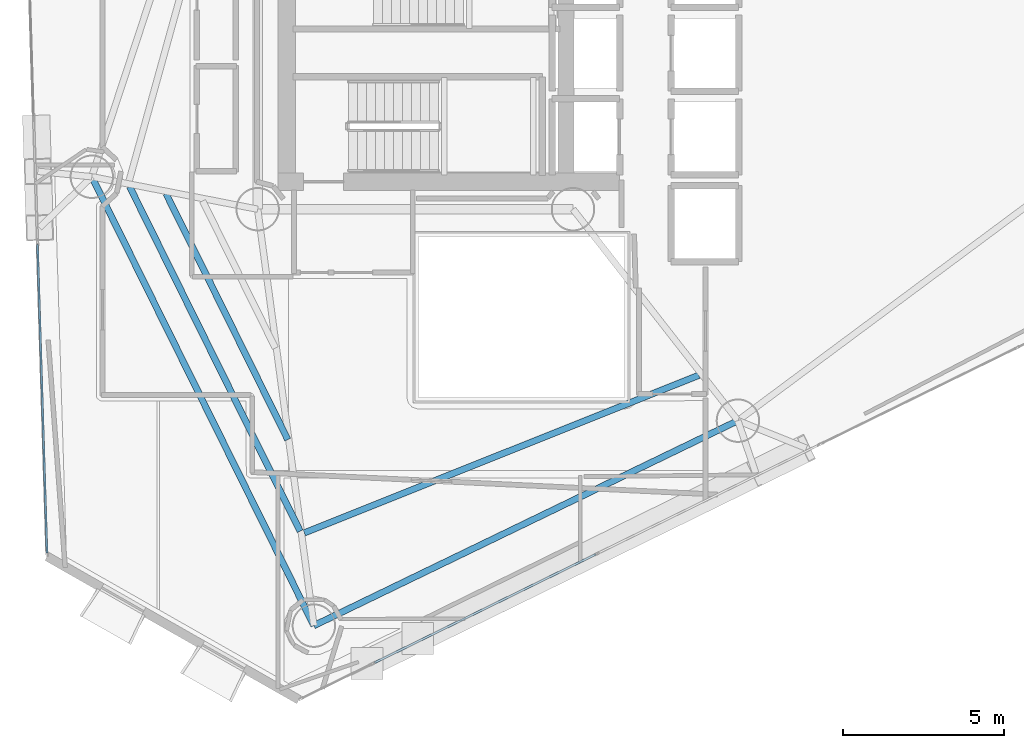
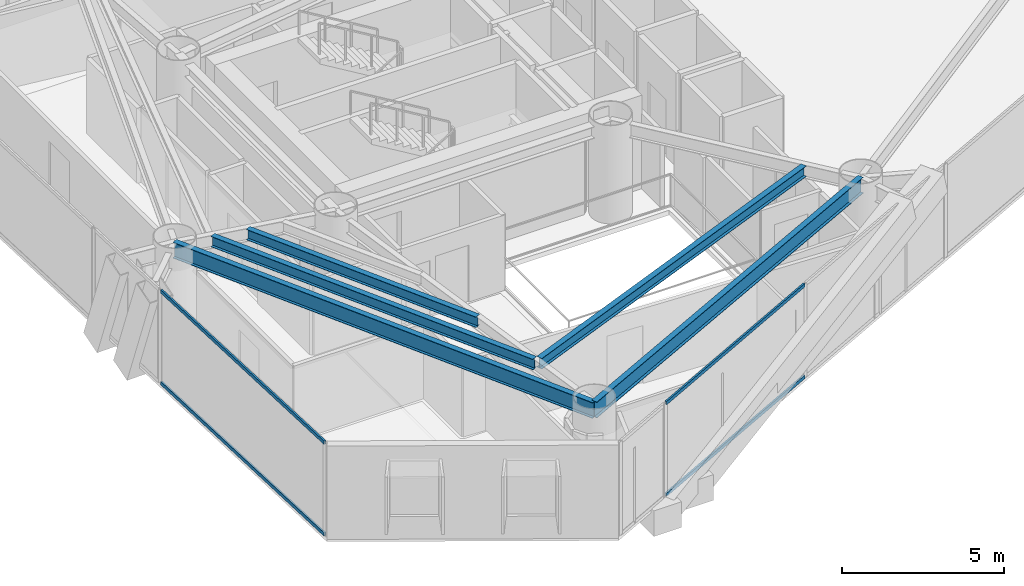
# One storey, part 3 of 22: 5 beams, 4 members, 2 elements without a shape of their own.
"""IFC4 building model written with IfcOpenShell, lengths in metres."""

import ifcopenshell
import ifcopenshell.guid

model = None  # the IFC model being written
_history = None  # IfcOwnerHistory: only IFC2X3 demands one
_inside = {}  # id of a spatial element -> (the spatial element, [elements in it])
_under = {}  # id of a project, library or spatial element -> (it, [spatial elements below it])
_declared = {}  # id of a project -> (the project, [libraries it declares])
_typed = {}  # id of a type object -> (the type object, [elements of that type])
_made_of = {}  # id of a material, layer set ... -> (it, [elements and type objects made of it])


def new_model(schema):
    """Start an empty IFC model of exactly this schema.

    Asked for "IFC4X3", IfcOpenShell would pick the latest addendum, in which some entities
    have other attributes; the version numbers below select the first issue.
    IFC2X3 requires an IfcOwnerHistory on every rooted entity: one is made here for all.
    """
    global model, _history
    if schema == "IFC4X3":
        model = ifcopenshell.file(schema_version=(4, 3, 0, 0))
    else:
        model = ifcopenshell.file(schema=schema)
    _inside.clear()
    _under.clear()
    _declared.clear()
    _typed.clear()
    _made_of.clear()
    _history = None
    if model.schema == "IFC2X3":
        org = make("IfcOrganization", Name="unknown")
        user = make(
            "IfcPersonAndOrganization",
            ThePerson=make("IfcPerson", FamilyName="unknown"),
            TheOrganization=org,
        )
        app = make(
            "IfcApplication",
            ApplicationDeveloper=org,
            Version="unknown",
            ApplicationFullName="unknown",
            ApplicationIdentifier="unknown",
        )
        _history = make(
            "IfcOwnerHistory",
            OwningUser=user,
            OwningApplication=app,
            ChangeAction="ADDED",
            CreationDate=0,
        )
    return model


def make(cls, **values):
    """One entity of the class cls with the attributes given. An attribute that is None is left unset."""
    return model.create_entity(
        cls, **{name: value for name, value in values.items() if value is not None}
    )


def rooted(cls, **values):
    """An entity with a GlobalId (a new one), such as an element, a storey or a relation."""
    return make(cls, GlobalId=ifcopenshell.guid.new(), OwnerHistory=_history, **values)


def si_unit(unit_type, name, prefix=None):
    """IfcSIUnit, for example si_unit("LENGTHUNIT", "METRE", prefix="MILLI")."""
    return make("IfcSIUnit", UnitType=unit_type, Prefix=prefix, Name=name)


def assignment(units):
    """IfcUnitAssignment: the units of a project."""
    return None if units is None else make("IfcUnitAssignment", Units=units)


def point(xyz):
    """IfcCartesianPoint."""
    return None if xyz is None else make("IfcCartesianPoint", Coordinates=xyz)


def direction(xyz):
    """IfcDirection."""
    return None if xyz is None else make("IfcDirection", DirectionRatios=xyz)


def frame(location, z_axis=None, x_axis=None):
    """IfcAxis2Placement3D, a coordinate frame: its origin and axes. An axis left out is left unset."""
    return make(
        "IfcAxis2Placement3D",
        Location=point(location),
        Axis=direction(z_axis),
        RefDirection=direction(x_axis),
    )


def frame_2d(location, x_axis=None):
    """IfcAxis2Placement2D, a coordinate frame in the plane: its origin and x axis."""
    return make(
        "IfcAxis2Placement2D", Location=point(location), RefDirection=direction(x_axis)
    )


def origin():
    """The frame at (0, 0, 0) with its axes left unset."""
    return frame((0.0, 0.0, 0.0))


def origin_2d():
    """The frame at (0, 0) in the plane with its x axis left unset."""
    return frame_2d((0.0, 0.0))


def place(relative_to, where):
    """IfcLocalPlacement: puts the frame where relative to a parent placement (None: the world)."""
    return make(
        "IfcLocalPlacement", PlacementRelTo=relative_to, RelativePlacement=where
    )


def context(
    kind, dimensions, precision=None, world=None, true_north=None, identifier=None
):
    """IfcGeometricRepresentationContext, for example the 3D "Model" context."""
    return make(
        "IfcGeometricRepresentationContext",
        ContextIdentifier=identifier,
        ContextType=kind,
        CoordinateSpaceDimension=dimensions,
        Precision=precision,
        WorldCoordinateSystem=world,
        TrueNorth=true_north,
    )


def subcontext(parent, identifier, kind, view, scale=None):
    """IfcGeometricRepresentationSubContext, for example "Body" below "Model"."""
    return make(
        "IfcGeometricRepresentationSubContext",
        ContextIdentifier=identifier,
        ContextType=kind,
        ParentContext=parent,
        TargetScale=scale,
        TargetView=view,
    )


def project(units=None, contexts=None):
    """IfcProject with its units and contexts."""
    return rooted(
        "IfcProject",
        Name="project",
        RepresentationContexts=contexts,
        UnitsInContext=assignment(units),
    )


def spatial(cls, under=None, at=None, **own):
    """A site, building, storey or space (cls), placed at a placement, below another one or the project."""
    s = rooted(cls, ObjectPlacement=at, **own)
    if under is not None:
        _under.setdefault(under.id(), (under, []))[1].append(s)
    return s


def profile(cls, at=None, kind="AREA", **sizes):
    """A parametric profile (cls). Its sizes go by their IFC names, for example OverallWidth=200.0."""
    return make(cls, ProfileType=kind, Position=at, **sizes)


def hollow_rectangle(**sizes):
    """IfcRectangleHollowProfileDef."""
    return profile("IfcRectangleHollowProfileDef", **sizes)


def i_section(**sizes):
    """IfcIShapeProfileDef."""
    return profile("IfcIShapeProfileDef", **sizes)


def extrude(swept, where, along, depth):
    """IfcExtrudedAreaSolid: the profile swept, set in the frame where, extruded along a direction by depth."""
    return make(
        "IfcExtrudedAreaSolid",
        SweptArea=swept,
        Position=where,
        ExtrudedDirection=direction(along),
        Depth=depth,
    )


def shape(context_of_items, identifier, shape_type, items):
    """IfcShapeRepresentation: the items that make up one representation, for example the "Body"."""
    return make(
        "IfcShapeRepresentation",
        ContextOfItems=context_of_items,
        RepresentationIdentifier=identifier,
        RepresentationType=shape_type,
        Items=items,
    )


def material(Name=None, Category=None):
    """IfcMaterial."""
    return make("IfcMaterial", Name=Name, Category=Category)


def layer(
    of_material, thickness, ventilated=None, Name=None, Category=None, Priority=None
):
    """IfcMaterialLayer: one layer of a wall or slab, of a material (None: an air gap)."""
    return make(
        "IfcMaterialLayer",
        Material=of_material,
        LayerThickness=thickness,
        IsVentilated=ventilated,
        Name=Name,
        Category=Category,
        Priority=Priority,
    )


def layer_set(layers, Name=None):
    """IfcMaterialLayerSet."""
    return make("IfcMaterialLayerSet", MaterialLayers=layers, LayerSetName=Name)


def material_profile(
    of_material, cross_section, Name=None, Category=None, Priority=None
):
    """IfcMaterialProfile: a cross section and its material."""
    return make(
        "IfcMaterialProfile",
        Name=Name,
        Material=of_material,
        Profile=cross_section,
        Priority=Priority,
        Category=Category,
    )


def profile_set(profiles, Name=None, composite=None):
    """IfcMaterialProfileSet."""
    return make(
        "IfcMaterialProfileSet",
        Name=Name,
        MaterialProfiles=profiles,
        CompositeProfile=composite,
    )


def made_of(thing, what):
    """Note that an element or type object is made of a material, layer set ...; save() writes the relation."""
    if what is not None:
        _made_of.setdefault(what.id(), (what, []))[1].append(thing)
    return thing


def type_object(cls, material=None, **own):
    """A type object (cls), such as IfcWallType, which elements share."""
    return made_of(rooted(cls, **own), material)


def element(
    cls,
    number,
    at=None,
    inside=None,
    cuts=None,
    type_object=None,
    material=None,
    context=None,
    identifier="Body",
    shape_type=None,
    held_by="IfcProductDefinitionShape",
    body=None,
    shapes=None,
    **own,
):
    """One element of the class cls, such as IfcWall. Its Tag is "e" and its number.

    at: its placement. inside: the storey or other place that contains it. cuts: it is an
    opening in that element (IfcRelVoidsElement). A single representation is given by context,
    identifier, shape_type and body (its items); several are given by shapes. held_by: the class
    of the entity that holds the representations. save() writes the other relations.
    """
    e = rooted(cls, Tag="e%d" % number, ObjectPlacement=at, **own)
    if body is not None:
        shapes = [shape(context, identifier, shape_type, body)]
    if shapes is not None:
        e.Representation = make(held_by, Representations=shapes)
    if inside is not None:
        _inside.setdefault(inside.id(), (inside, []))[1].append(e)
    if cuts is not None:
        rooted(
            "IfcRelVoidsElement", RelatingBuildingElement=cuts, RelatedOpeningElement=e
        )
    if type_object is not None:
        _typed.setdefault(type_object.id(), (type_object, []))[1].append(e)
    return made_of(e, material)


def aggregate(whole, parts):
    """IfcRelAggregates: a whole, such as a stair, and the parts it consists of."""
    return rooted("IfcRelAggregates", RelatingObject=whole, RelatedObjects=parts)


def save(model, path):
    """Write the relations noted so far, then the file.

    IfcRelAggregates (storeys below a building ...), IfcRelContainedInSpatialStructure (elements
    in a storey), IfcRelDefinesByType, IfcRelAssociatesMaterial and IfcRelDeclares: one each for
    every whole, place, type object, material and project.
    """
    for whole, parts in _under.values():
        aggregate(whole, parts)
    for where, things in _inside.values():
        rooted(
            "IfcRelContainedInSpatialStructure",
            RelatedElements=things,
            RelatingStructure=where,
        )
    for kind, things in _typed.values():
        rooted("IfcRelDefinesByType", RelatedObjects=things, RelatingType=kind)
    for what, things in _made_of.values():
        rooted("IfcRelAssociatesMaterial", RelatedObjects=things, RelatingMaterial=what)
    for by, libraries in _declared.values():
        rooted("IfcRelDeclares", RelatingContext=by, RelatedDefinitions=libraries)
    model.write(path)


model = new_model("IFC4")

# Units and contexts
model_context = context("Model", 3, precision=1e-05, world=origin(), true_north=direction((0.0, 1.0)))
body_context = subcontext(model_context, "Body", "Model", "MODEL_VIEW")
ifc_project = project(units=[si_unit("LENGTHUNIT", "METRE"), si_unit("AREAUNIT", "SQUARE_METRE"), si_unit("VOLUMEUNIT", "CUBIC_METRE"), si_unit("PLANEANGLEUNIT", "RADIAN"), si_unit("MASSUNIT", "GRAM", prefix="KILO")], contexts=[model_context])

# Site, building, storey
site_placement = place(None, origin())
site = spatial("IfcSite", under=ifc_project, at=site_placement, CompositionType="ELEMENT")
building_placement = place(site_placement, origin())
building = spatial("IfcBuilding", under=site, at=building_placement, Name="Qianvela Tower", CompositionType="ELEMENT")
storey_placement = place(building_placement, frame((0.0, 0.0, 155.0)))
storey = spatial("IfcBuildingStorey", under=building, at=storey_placement, Name="L39", CompositionType="ELEMENT", Elevation=155.0)

# Beams
ifc_material_1 = material(Name="Steel Q355B", Category="steel")
ifc_material_profile_1 = material_profile(ifc_material_1, i_section(OverallWidth=0.199951171875, OverallDepth=0.39990234375, WebThickness=0.008056640625, FlangeThickness=0.012939453125, at=origin_2d()), Name="HN400x200x8x13")
ifc_profile_set_1 = profile_set([ifc_material_profile_1], Name="Steel Q355B")
beam_type_1 = type_object("IfcBeamType", Name="BM-HN400-JOIST", PredefinedType="JOIST", material=ifc_profile_set_1)
beam_1_placement = place(storey_placement, frame((25.75634765625, 24.3291015625, 3.318115234375), z_axis=(0.443417285282, -0.896315296708, 0.0), x_axis=(0.896315296708, 0.443417285282, 0.0)))
element("IfcBeam", 1, at=beam_1_placement, inside=storey, type_object=beam_type_1, Name="L39 Secondary Composite Floor Joist 4.2", PredefinedType="JOIST", context=body_context, shape_type="SweptSolid", body=[
    extrude(i_section(OverallWidth=0.199951171875, OverallDepth=0.39990234375, WebThickness=0.008056640625, FlangeThickness=0.012939453125, at=origin_2d()), origin(), (0.0, 0.0, 1.0), 8.523681640625),
])
beam_2_placement = place(storey_placement, frame((24.622314453125, 24.551025390625, 3.318115234375), z_axis=(0.443417031377, -0.896315422318, 0.0), x_axis=(0.896315422318, 0.443417031377, 0.0)))
element("IfcBeam", 2, at=beam_2_placement, inside=storey, type_object=beam_type_1, Name="L39 Secondary Composite Floor Joist 4.3", PredefinedType="JOIST", context=body_context, shape_type="SweptSolid", body=[
    extrude(i_section(OverallWidth=0.199951171875, OverallDepth=0.39990234375, WebThickness=0.008056640625, FlangeThickness=0.012939453125, at=origin_2d()), origin(), (0.0, 0.0, 1.0), 11.94775390625),
])
beam_3_placement = place(storey_placement, frame((30.0517578125, 13.79150390625, 3.318115234375), z_axis=(0.928611849806, 0.371052600584, 0.0), x_axis=(-0.371052600584, 0.928611849806, 0.0)))
element("IfcBeam", 3, at=beam_3_placement, inside=storey, type_object=beam_type_1, Name="L39 Secondary Composite Floor Joist 5.3", PredefinedType="JOIST", context=body_context, shape_type="SweptSolid", body=[
    extrude(i_section(OverallWidth=0.199951171875, OverallDepth=0.39990234375, WebThickness=0.008056640625, FlangeThickness=0.012939453125, at=origin_2d()), origin(), (0.0, 0.0, 1.0), 13.19873046875),
])
ifc_material_2 = material(Name="Steel Q355B", Category="steel")
ifc_material_profile_2 = material_profile(ifc_material_2, i_section(OverallWidth=0.199951171875, OverallDepth=0.60009765625, WebThickness=0.010986328125, FlangeThickness=0.01708984375, at=origin_2d()), Name="HN600x200x11x17")
ifc_profile_set_2 = profile_set([ifc_material_profile_2], Name="Steel Q355B")
beam_type_2 = type_object("IfcBeamType", Name="BM-HN600-GIRD", PredefinedType="BEAM", material=ifc_profile_set_2)
beam_4_placement = place(storey_placement, frame((23.446044921875, 24.85888671875, 3.218017578125), z_axis=(0.443400805375, -0.896323449315, 0.0), x_axis=(0.896323449315, 0.443400805375, 0.0)))
element("IfcBeam", 4, at=beam_4_placement, inside=storey, type_object=beam_type_2, Name="L39 Perimeter Ring Spandrel Girder 4", PredefinedType="BEAM", context=body_context, shape_type="SweptSolid", body=[
    extrude(i_section(OverallWidth=0.199951171875, OverallDepth=0.60009765625, WebThickness=0.010986328125, FlangeThickness=0.01708984375, at=origin_2d()), origin(), (0.0, 0.0, 1.0), 15.5634765625),
])
beam_5_placement = place(storey_placement, frame((30.346923828125, 10.908935546875, 3.218017578125), z_axis=(0.900328583727, 0.435210801019, 0.0), x_axis=(-0.435210801019, 0.900328583727, 0.0)))
element("IfcBeam", 5, at=beam_5_placement, inside=storey, type_object=beam_type_2, Name="L39 Perimeter Ring Spandrel Girder 5", PredefinedType="BEAM", context=body_context, shape_type="SweptSolid", body=[
    extrude(i_section(OverallWidth=0.199951171875, OverallDepth=0.60009765625, WebThickness=0.010986328125, FlangeThickness=0.01708984375, at=origin_2d()), origin(), (0.0, 0.0, 1.0), 14.636962890625),
])

# Curtain wall, members
ifc_material_3 = material(Name="Anodised Architectural Aluminium and Insulated Spandrel Panel", Category="aluminium")
ifc_layer_1 = layer(ifc_material_3, 0.179931640625)
ifc_layer_set_1 = layer_set([ifc_layer_1], Name="Anodised Architectural Aluminium and Insulated Spandrel Panel")
curtain_wall_type_1 = type_object("IfcCurtainWallType", Name="CW-BRACEBAY", PredefinedType="USERDEFINED", material=ifc_layer_set_1)
curtain_wall_1_placement = place(storey_placement, origin())
curtain_wall_1 = element("IfcCurtainWall", 6, at=curtain_wall_1_placement, inside=storey, type_object=curtain_wall_type_1, Name="L39 CW-BRACEBAY Curtain Wall 06B", ObjectType="CURTAIN_WALL_SYSTEM", PredefinedType="USERDEFINED")
ifc_material_4 = material(Name="Anodised Architectural Aluminium 6063-T6", Category="aluminium")
ifc_material_profile_3 = material_profile(ifc_material_4, hollow_rectangle(XDim=0.06494140625, YDim=0.1298828125, WallThickness=0.00439453125, at=origin_2d()), Name="ALU-TRAN-65x130")
ifc_profile_set_3 = profile_set([ifc_material_profile_3], Name="Anodised Architectural Aluminium 6063-T6")
member_type_1 = type_object("IfcMemberType", Name="CW-BRACEBAY-TRAN", PredefinedType="USERDEFINED", material=ifc_profile_set_3)
member_1_placement = place(storey_placement, frame((32.2314453125, 9.756103515625, 0.032470703125), z_axis=(0.897925664265, 0.440147136142, 0.0), x_axis=(-0.440147136142, 0.897925664265, 0.0)))
member_1 = element("IfcMember", 7, at=member_1_placement, type_object=member_type_1, Name="CW-9 transom 1.1", ObjectType="TRANSOM", PredefinedType="USERDEFINED", context=body_context, shape_type="SweptSolid", body=[
    extrude(hollow_rectangle(XDim=0.06494140625, YDim=0.1298828125, WallThickness=0.00439453125, at=origin_2d()), origin(), (0.0, 0.0, 1.0), 7.657470703125),
])
member_2_placement = place(storey_placement, frame((32.2314453125, 9.756103515625, 3.487548828125), z_axis=(0.897925664265, 0.440147136142, 0.0), x_axis=(-0.440147136142, 0.897925664265, 0.0)))
member_2 = element("IfcMember", 8, at=member_2_placement, type_object=member_type_1, Name="CW-9 transom 1.2", ObjectType="TRANSOM", PredefinedType="USERDEFINED", context=body_context, shape_type="SweptSolid", body=[
    extrude(hollow_rectangle(XDim=0.06494140625, YDim=0.1298828125, WallThickness=0.00439453125, at=origin_2d()), origin(), (0.0, 0.0, 1.0), 7.657470703125),
])
aggregate(curtain_wall_1, [member_1, member_2])

ifc_material_5 = material(Name="Anodised Architectural Aluminium and Low-E Glass", Category="aluminium")
ifc_layer_2 = layer(ifc_material_5, 0.169921875)
ifc_layer_set_2 = layer_set([ifc_layer_2], Name="Anodised Architectural Aluminium and Low-E Glass")
curtain_wall_type_2 = type_object("IfcCurtainWallType", Name="CW-COLIV-Z34", PredefinedType="USERDEFINED", material=ifc_layer_set_2)
curtain_wall_2_placement = place(storey_placement, origin())
curtain_wall_2 = element("IfcCurtainWall", 9, at=curtain_wall_2_placement, inside=storey, type_object=curtain_wall_type_2, Name="L39 CW-COLIV-Z34 Curtain Wall 04C", ObjectType="CURTAIN_WALL_SYSTEM", PredefinedType="USERDEFINED")
ifc_material_6 = material(Name="Anodised Architectural Aluminium 6063-T6", Category="aluminium")
ifc_material_profile_4 = material_profile(ifc_material_6, hollow_rectangle(XDim=0.06494140625, YDim=0.1298828125, WallThickness=0.00439453125, at=origin_2d()), Name="ALU-TRAN-65x130")
ifc_profile_set_4 = profile_set([ifc_material_profile_4], Name="Anodised Architectural Aluminium 6063-T6")
member_type_2 = type_object("IfcMemberType", Name="CW-COLIV-Z34-TRAN", PredefinedType="USERDEFINED", material=ifc_profile_set_4)
member_3_placement = place(storey_placement, frame((21.758544921875, 22.75341796875, 0.032470703125), z_axis=(0.030712402483, -0.999528262899, 0.0), x_axis=(0.999528262899, 0.030712402483, 0.0)))
member_3 = element("IfcMember", 10, at=member_3_placement, type_object=member_type_2, Name="CW-4 transom 1.1", ObjectType="TRANSOM", PredefinedType="USERDEFINED", context=body_context, shape_type="SweptSolid", body=[
    extrude(hollow_rectangle(XDim=0.06494140625, YDim=0.1298828125, WallThickness=0.00439453125, at=origin_2d()), origin(), (0.0, 0.0, 1.0), 9.5869140625),
])
member_4_placement = place(storey_placement, frame((21.758544921875, 22.75341796875, 3.487548828125), z_axis=(0.030712402483, -0.999528262899, 0.0), x_axis=(0.999528262899, 0.030712402483, 0.0)))
member_4 = element("IfcMember", 11, at=member_4_placement, type_object=member_type_2, Name="CW-4 transom 1.2", ObjectType="TRANSOM", PredefinedType="USERDEFINED", context=body_context, shape_type="SweptSolid", body=[
    extrude(hollow_rectangle(XDim=0.06494140625, YDim=0.1298828125, WallThickness=0.00439453125, at=origin_2d()), origin(), (0.0, 0.0, 1.0), 9.5869140625),
])
aggregate(curtain_wall_2, [member_3, member_4])

save(model, "model.ifc")
